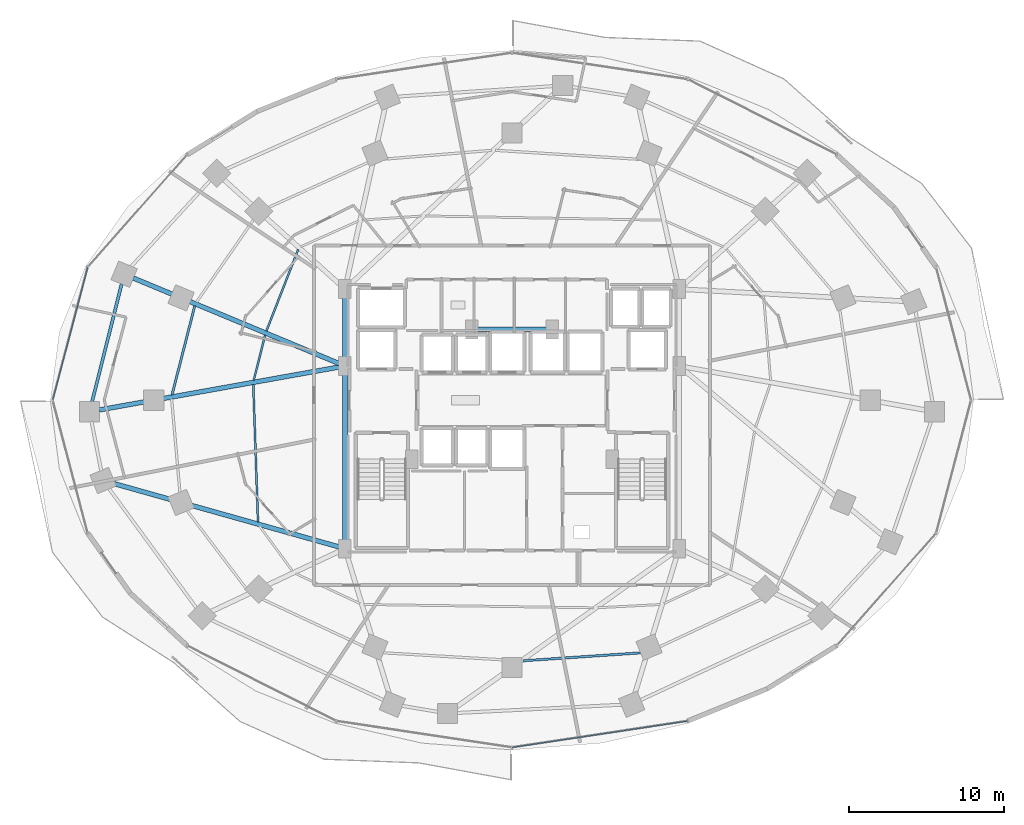
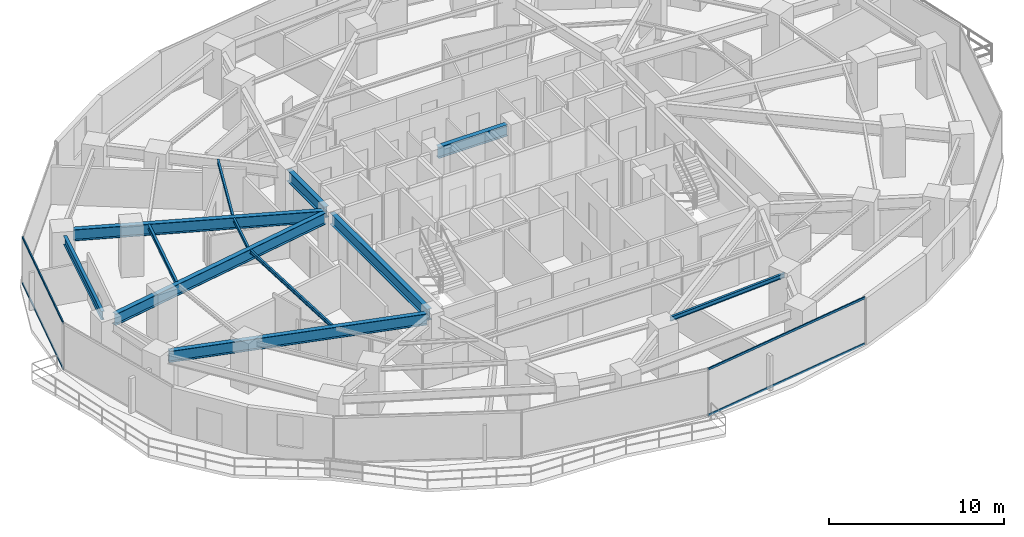
# One storey, part 8 of 30: 12 beams, 4 members, 2 elements without a shape of their own.
"""IFC4 building model written with IfcOpenShell, lengths in metres."""

from ifc_helpers import new_model, si_unit, direction, frame, origin, origin_2d, place, context, subcontext, project, spatial, hollow_rectangle, i_section, extrude, material, material_profile, profile_set, type_object, element, aggregate, save


model = new_model("IFC4")

# Units and contexts
model_context = context("Model", 3, precision=1e-05, world=origin(), true_north=direction((0.0, 1.0)))
body_context = subcontext(model_context, "Body", "Model", "MODEL_VIEW")
ifc_project = project(units=[si_unit("LENGTHUNIT", "METRE"), si_unit("AREAUNIT", "SQUARE_METRE"), si_unit("VOLUMEUNIT", "CUBIC_METRE"), si_unit("PLANEANGLEUNIT", "RADIAN"), si_unit("MASSUNIT", "GRAM", prefix="KILO")], contexts=[model_context])

# Site, building, storey
site_placement = place(None, origin())
site = spatial("IfcSite", under=ifc_project, at=site_placement, CompositionType="ELEMENT")
building_placement = place(site_placement, origin())
building = spatial("IfcBuilding", under=site, at=building_placement, Name="Vorneva Point Tower", CompositionType="ELEMENT")
storey_placement = place(building_placement, frame((0.0, 0.0, 41.5)))
storey = spatial("IfcBuildingStorey", under=building, at=storey_placement, Name="L10", CompositionType="ELEMENT", Elevation=41.5)

# Beams
ifc_material_1 = material(Name="Steel S355", Category="steel")
ifc_material_profile_1 = material_profile(ifc_material_1, i_section(OverallWidth=0.300048828125, OverallDepth=0.7880859375, WebThickness=0.014404296875, FlangeThickness=0.02197265625, at=origin_2d()), Name="80Sh1")
ifc_profile_set_1 = profile_set([ifc_material_profile_1], Name="Steel S355")
beam_type_1 = type_object("IfcBeamType", Name="BM-GRD-80Sh1", PredefinedType="USERDEFINED", material=ifc_profile_set_1)
beam_1_placement = place(storey_placement, frame((13.62841796875, 33.860595703125, 2.845947265625), z_axis=(0.923441399183, -0.383739471874, 0.0), x_axis=(0.383739471874, 0.923441399183, 0.0)))
element("IfcBeam", 1, at=beam_1_placement, inside=storey, type_object=beam_type_1, Name="L10 Radial Primary Girder 08", ObjectType="GIRDER", PredefinedType="USERDEFINED", context=body_context, shape_type="SweptSolid", body=[
    extrude(i_section(OverallWidth=0.300048828125, OverallDepth=0.7880859375, WebThickness=0.014404296875, FlangeThickness=0.02197265625, at=origin_2d()), origin(), (0.0, 0.0, 1.0), 14.410888671875),
])
beam_2_placement = place(storey_placement, frame((11.44580078125, 25.373291015625, 2.845947265625), z_axis=(0.984378664832, 0.176064318428, 0.0), x_axis=(-0.176064318428, 0.984378664832, 0.0)))
element("IfcBeam", 2, at=beam_2_placement, inside=storey, type_object=beam_type_1, Name="L10 Radial Primary Girder 09", ObjectType="GIRDER", PredefinedType="USERDEFINED", context=body_context, shape_type="SweptSolid", body=[
    extrude(i_section(OverallWidth=0.300048828125, OverallDepth=0.7880859375, WebThickness=0.014404296875, FlangeThickness=0.02197265625, at=origin_2d()), origin(), (0.0, 0.0, 1.0), 15.715087890625),
])
beam_3_placement = place(storey_placement, frame((12.30224609375, 20.65673828125, 2.845947265625), z_axis=(0.962603400973, -0.270914548217, 0.0), x_axis=(0.270914548217, 0.962603400973, 0.0)))
element("IfcBeam", 3, at=beam_3_placement, inside=storey, type_object=beam_type_1, Name="L10 Radial Primary Girder 10", ObjectType="GIRDER", PredefinedType="USERDEFINED", context=body_context, shape_type="SweptSolid", body=[
    extrude(i_section(OverallWidth=0.300048828125, OverallDepth=0.7880859375, WebThickness=0.014404296875, FlangeThickness=0.02197265625, at=origin_2d()), origin(), (0.0, 0.0, 1.0), 15.188232421875),
])
beam_4_placement = place(storey_placement, frame((27.25, 16.77001953125, 2.845947265625), z_axis=(0.0, 1.0, 0.0), x_axis=(-1.0, 0.0, 0.0)))
element("IfcBeam", 4, at=beam_4_placement, inside=storey, type_object=beam_type_1, Name="L10 Core Tie Girder CT1", ObjectType="GIRDER", PredefinedType="USERDEFINED", context=body_context, shape_type="SweptSolid", body=[
    extrude(i_section(OverallWidth=0.300048828125, OverallDepth=0.7880859375, WebThickness=0.014404296875, FlangeThickness=0.02197265625, at=origin_2d()), origin(), (0.0, 0.0, 1.0), 11.10986328125),
])
beam_5_placement = place(storey_placement, frame((27.25, 28.52001953125, 2.845947265625), z_axis=(0.0, 1.0, 0.0), x_axis=(-1.0, 0.0, 0.0)))
element("IfcBeam", 5, at=beam_5_placement, inside=storey, type_object=beam_type_1, Name="L10 Core Tie Girder CT2", ObjectType="GIRDER", PredefinedType="USERDEFINED", context=body_context, shape_type="SweptSolid", body=[
    extrude(i_section(OverallWidth=0.300048828125, OverallDepth=0.7880859375, WebThickness=0.014404296875, FlangeThickness=0.02197265625, at=origin_2d()), origin(), (0.0, 0.0, 1.0), 4.31005859375),
])
beam_6_placement = place(storey_placement, frame((35.719970703125, 30.550048828125, 2.845947265625), z_axis=(1.0, 0.0, 0.0), x_axis=(0.0, 1.0, 0.0)))
element("IfcBeam", 6, at=beam_6_placement, inside=storey, type_object=beam_type_1, Name="L10 Core Tie Girder CT8", ObjectType="GIRDER", PredefinedType="USERDEFINED", context=body_context, shape_type="SweptSolid", body=[
    extrude(i_section(OverallWidth=0.300048828125, OverallDepth=0.7880859375, WebThickness=0.014404296875, FlangeThickness=0.02197265625, at=origin_2d()), origin(), (0.0, 0.0, 1.0), 4.56005859375),
])
ifc_material_profile_2 = material_profile(ifc_material_1, i_section(OverallWidth=0.1240234375, OverallDepth=0.248046875, WebThickness=0.0048828125, FlangeThickness=0.008056640625, at=origin_2d()), Name="25B1")
ifc_profile_set_2 = profile_set([ifc_material_profile_2], Name="Steel S355")
beam_type_2 = type_object("IfcBeamType", Name="BM-JST-25B1", PredefinedType="JOIST", material=ifc_profile_set_2)
beam_7_placement = place(storey_placement, frame((24.23974609375, 35.6953125, 3.115966796875), z_axis=(-0.363151415934, -0.931730137489, 0.0), x_axis=(0.931730137489, -0.363151415934, 0.0)))
element("IfcBeam", 7, at=beam_7_placement, inside=storey, type_object=beam_type_2, Name="L10 Secondary Floor Beam 2.07", PredefinedType="JOIST", context=body_context, shape_type="SweptSolid", body=[
    extrude(i_section(OverallWidth=0.1240234375, OverallDepth=0.248046875, WebThickness=0.0048828125, FlangeThickness=0.008056640625, at=origin_2d()), origin(), (0.0, 0.0, 1.0), 5.629638671875),
])
beam_8_placement = place(storey_placement, frame((22.111572265625, 30.1875, 3.115966796875), z_axis=(-0.243875659039, -0.969806507984, 0.0), x_axis=(0.969806507984, -0.243875659039, 0.0)))
element("IfcBeam", 8, at=beam_8_placement, inside=storey, type_object=beam_type_2, Name="L10 Secondary Floor Beam 2.08", PredefinedType="JOIST", context=body_context, shape_type="SweptSolid", body=[
    extrude(i_section(OverallWidth=0.1240234375, OverallDepth=0.248046875, WebThickness=0.0048828125, FlangeThickness=0.008056640625, at=origin_2d()), origin(), (0.0, 0.0, 1.0), 3.000244140625),
])
beam_9_placement = place(storey_placement, frame((21.35107421875, 27.006103515625, 3.115966796875), z_axis=(0.034290300596, -0.99941191472, 0.0), x_axis=(0.99941191472, 0.034290300596, 0.0)))
element("IfcBeam", 9, at=beam_9_placement, inside=storey, type_object=beam_type_2, Name="L10 Secondary Floor Beam 2.09", PredefinedType="JOIST", context=body_context, shape_type="SweptSolid", body=[
    extrude(i_section(OverallWidth=0.1240234375, OverallDepth=0.248046875, WebThickness=0.0048828125, FlangeThickness=0.008056640625, at=origin_2d()), origin(), (0.0, 0.0, 1.0), 8.849853515625),
])
ifc_material_profile_3 = material_profile(ifc_material_1, i_section(OverallWidth=0.14892578125, OverallDepth=0.298095703125, WebThickness=0.005615234375, FlangeThickness=0.008056640625, at=origin_2d()), Name="30B1")
ifc_profile_set_3 = profile_set([ifc_material_profile_3], Name="Steel S355")
beam_type_3 = type_object("IfcBeamType", Name="BM-JST-30B1", PredefinedType="JOIST", material=ifc_profile_set_3)
beam_10_placement = place(storey_placement, frame((17.58642578125, 32.06787109375, 3.091064453125), z_axis=(-0.247756675765, -0.968822290007, 0.0), x_axis=(0.968822290007, -0.247756675765, 0.0)))
element("IfcBeam", 10, at=beam_10_placement, inside=storey, type_object=beam_type_3, Name="L10 Secondary Floor Beam 1.08", PredefinedType="JOIST", context=body_context, shape_type="SweptSolid", body=[
    extrude(i_section(OverallWidth=0.14892578125, OverallDepth=0.298095703125, WebThickness=0.005615234375, FlangeThickness=0.008056640625, at=origin_2d()), origin(), (0.0, 0.0, 1.0), 5.915283203125),
])
beam_11_placement = place(storey_placement, frame((38.731689453125, 9.23193359375, 3.091064453125), z_axis=(0.997743904339, 0.06713494883, 0.0), x_axis=(-0.06713494883, 0.997743904339, 0.0)))
element("IfcBeam", 11, at=beam_11_placement, inside=storey, type_object=beam_type_3, Name="L10 Secondary Floor Beam 1.13", PredefinedType="JOIST", context=body_context, shape_type="SweptSolid", body=[
    extrude(i_section(OverallWidth=0.14892578125, OverallDepth=0.298095703125, WebThickness=0.005615234375, FlangeThickness=0.008056640625, at=origin_2d()), origin(), (0.0, 0.0, 1.0), 7.865966796875),
])
ifc_material_profile_4 = material_profile(ifc_material_1, i_section(OverallWidth=0.198974609375, OverallDepth=0.595947265625, WebThickness=0.010009765625, FlangeThickness=0.014892578125, at=origin_2d()), Name="60B1")
ifc_profile_set_4 = profile_set([ifc_material_profile_4], Name="Steel S355")
beam_type_4 = type_object("IfcBeamType", Name="BM-SPN-60B1", PredefinedType="SPANDREL", material=ifc_profile_set_4)
beam_12_placement = place(storey_placement, frame((12.884521484375, 33.489501953125, 2.94189453125), z_axis=(-0.243574722416, -0.969882134385, 0.0), x_axis=(0.969882134385, -0.243574722416, 0.0)))
element("IfcBeam", 12, at=beam_12_placement, inside=storey, type_object=beam_type_4, Name="L10 Perimeter Spandrel Ring Beam 08", PredefinedType="SPANDREL", context=body_context, shape_type="SweptSolid", body=[
    extrude(i_section(OverallWidth=0.198974609375, OverallDepth=0.595947265625, WebThickness=0.010009765625, FlangeThickness=0.014892578125, at=origin_2d()), origin(), (0.0, 0.0, 1.0), 7.84912109375),
])

# Curtain wall, members
ifc_material_2 = material(Name="Pale anodised aluminium", Category="aluminium")
curtain_wall_type = type_object("IfcCurtainWallType", Name="CW-HTL-SYS", PredefinedType="NOTDEFINED", material=ifc_material_2)
curtain_wall_1_placement = place(storey_placement, origin())
curtain_wall_1 = element("IfcCurtainWall", 13, at=curtain_wall_1_placement, inside=storey, type_object=curtain_wall_type, Name="L10 Unitised Curtain Wall CW-L10-R03", PredefinedType="NOTDEFINED")
ifc_material_profile_5 = material_profile(ifc_material_2, hollow_rectangle(XDim=0.074951171875, YDim=0.14990234375, WallThickness=0.00390625, at=origin_2d()), Name="AL-TRN 150x75x4")
ifc_profile_set_5 = profile_set([ifc_material_profile_5], Name="Pale anodised aluminium")
member_type = type_object("IfcMemberType", Name="CW-TRN-150", PredefinedType="USERDEFINED", material=ifc_profile_set_5)
member_1_placement = place(storey_placement, frame((10.699462890625, 34.552978515625, 0.02001953125), z_axis=(-0.254358772746, -0.967109928978, 0.0), x_axis=(0.967109928978, -0.254358772746, 0.0)))
member_1 = element("IfcMember", 14, at=member_1_placement, type_object=member_type, Name="CW-L10-R03 Transom 02.1", ObjectType="TRANSOM", PredefinedType="USERDEFINED", context=body_context, shape_type="SweptSolid", body=[
    extrude(hollow_rectangle(XDim=0.074951171875, YDim=0.14990234375, WallThickness=0.00390625, at=origin_2d()), origin(), (0.0, 0.0, 1.0), 8.84375),
])
member_2_placement = place(storey_placement, frame((10.699462890625, 34.552978515625, 3.219970703125), z_axis=(-0.254358772746, -0.967109928978, 0.0), x_axis=(0.967109928978, -0.254358772746, 0.0)))
member_2 = element("IfcMember", 15, at=member_2_placement, type_object=member_type, Name="CW-L10-R03 Transom 02.2", ObjectType="TRANSOM", PredefinedType="USERDEFINED", context=body_context, shape_type="SweptSolid", body=[
    extrude(hollow_rectangle(XDim=0.074951171875, YDim=0.14990234375, WallThickness=0.00390625, at=origin_2d()), origin(), (0.0, 0.0, 1.0), 8.84375),
])
aggregate(curtain_wall_1, [member_1, member_2])

curtain_wall_2_placement = place(storey_placement, origin())
curtain_wall_2 = element("IfcCurtainWall", 16, at=curtain_wall_2_placement, inside=storey, type_object=curtain_wall_type, Name="L10 Unitised Curtain Wall CW-L10-R04", PredefinedType="NOTDEFINED")
member_3_placement = place(storey_placement, frame((38.0, 3.64990234375, 0.02001953125), z_axis=(0.988870014575, 0.148782036131, 0.0), x_axis=(-0.148782036131, 0.988870014575, 0.0)))
member_3 = element("IfcMember", 17, at=member_3_placement, type_object=member_type, Name="CW-L10-R04 Transom 03.1", ObjectType="TRANSOM", PredefinedType="USERDEFINED", context=body_context, shape_type="SweptSolid", body=[
    extrude(hollow_rectangle(XDim=0.074951171875, YDim=0.14990234375, WallThickness=0.00390625, at=origin_2d()), origin(), (0.0, 0.0, 1.0), 11.435546875),
])
member_4_placement = place(storey_placement, frame((38.0, 3.64990234375, 3.219970703125), z_axis=(0.988870014575, 0.148782036131, 0.0), x_axis=(-0.148782036131, 0.988870014575, 0.0)))
member_4 = element("IfcMember", 18, at=member_4_placement, type_object=member_type, Name="CW-L10-R04 Transom 03.2", ObjectType="TRANSOM", PredefinedType="USERDEFINED", context=body_context, shape_type="SweptSolid", body=[
    extrude(hollow_rectangle(XDim=0.074951171875, YDim=0.14990234375, WallThickness=0.00390625, at=origin_2d()), origin(), (0.0, 0.0, 1.0), 11.435546875),
])
aggregate(curtain_wall_2, [member_3, member_4])

save(model, "model.ifc")
